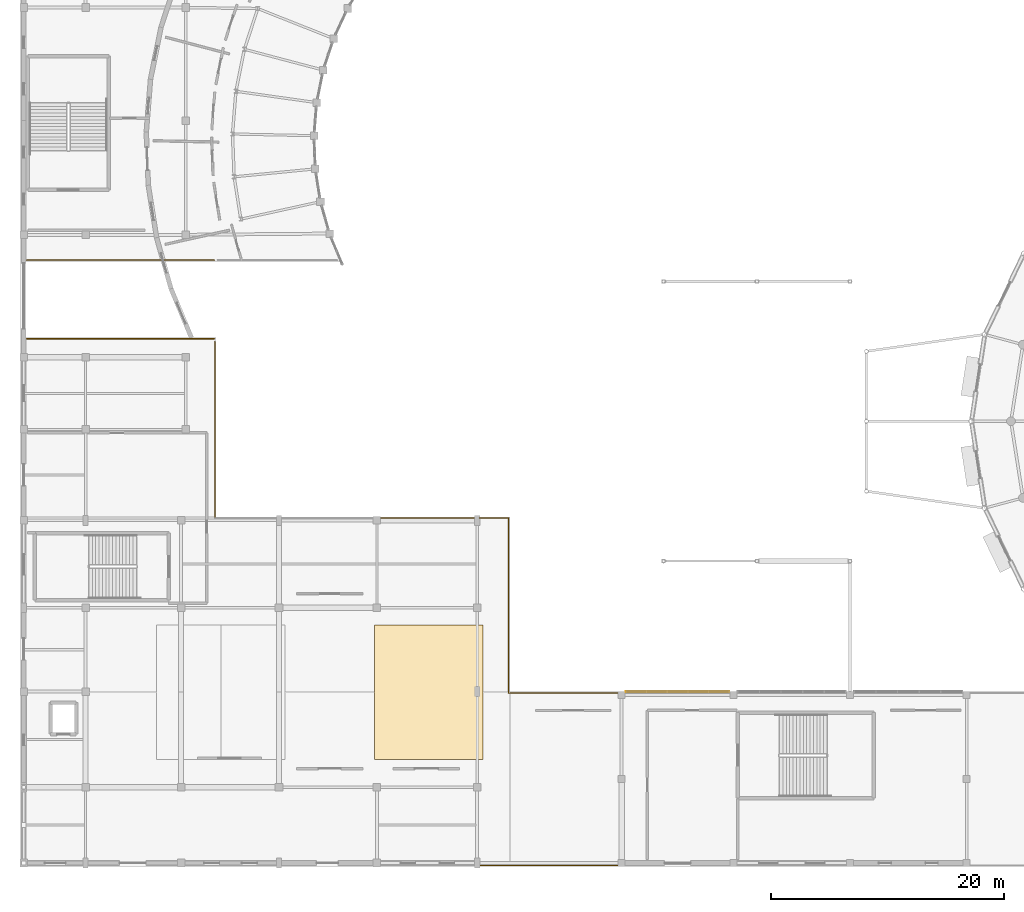
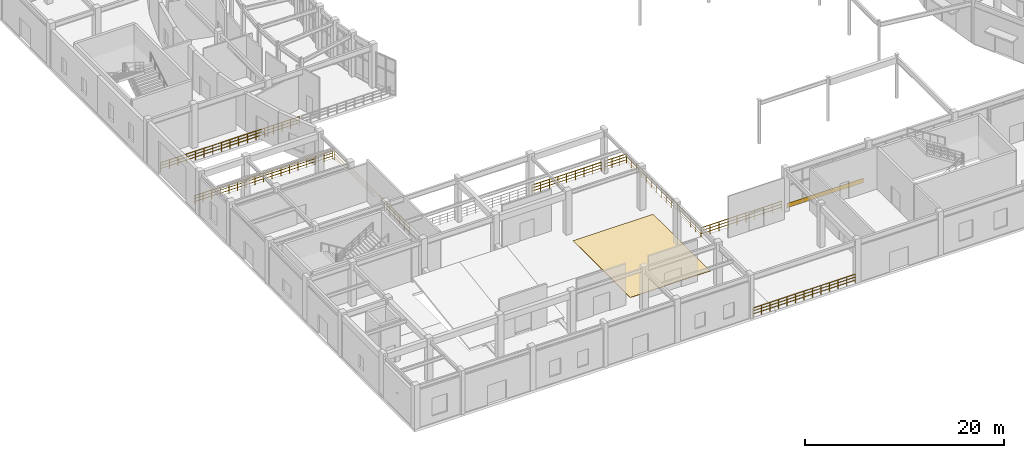
# One storey, part 83 of 93: 8 railings, 2 coverings.
"""IFC4 building model written with IfcOpenShell, lengths in metres."""

from ifc_helpers import new_model, si_unit, direction, frame, origin, origin_2d, place, context, subcontext, project, spatial, polyline, rectangle, circle, outline, extrude, material, layer, layer_set, type_object, element, save


model = new_model("IFC4")

# Units and contexts
model_context = context("Model", 3, precision=1e-05, world=origin(), true_north=direction((0.0, 1.0)))
body_context = subcontext(model_context, "Body", "Model", "MODEL_VIEW")
ifc_project = project(units=[si_unit("LENGTHUNIT", "METRE"), si_unit("AREAUNIT", "SQUARE_METRE"), si_unit("VOLUMEUNIT", "CUBIC_METRE"), si_unit("PLANEANGLEUNIT", "RADIAN"), si_unit("MASSUNIT", "GRAM", prefix="KILO")], contexts=[model_context])

# Site, building, storey
site_placement = place(None, origin())
site = spatial("IfcSite", under=ifc_project, at=site_placement, CompositionType="ELEMENT")
building_placement = place(site_placement, origin())
building = spatial("IfcBuilding", under=site, at=building_placement, Name="Cinderbank Siding Concert Hall", CompositionType="ELEMENT")
storey_placement = place(building_placement, origin())
storey = spatial("IfcBuildingStorey", under=building, at=storey_placement, Name="L01", CompositionType="ELEMENT", Elevation=0.0)

# Coverings
ifc_material_1 = material(Name="Spotted gum glulam timber GL18 (42 MPa)", Category="wood")
ifc_layer_1 = layer(ifc_material_1, 0.06494140625)
ifc_layer_set_1 = layer_set([ifc_layer_1], Name="Spotted gum glulam timber GL18 (42 MPa)")
covering_type_1 = type_object("IfcCoveringType", Name="CL-01 Spotted Gum Spandrel Band 520mm", PredefinedType="CLADDING", material=ifc_layer_set_1)
covering_1_placement = place(storey_placement, frame((63.199951171875, 20.800048828125, 0.0), z_axis=(0.0, 0.0, 1.0), x_axis=(1.0, 0.0, 0.0)))
element("IfcCovering", 1, at=covering_1_placement, inside=storey, type_object=covering_type_1, Name="CW-L01-138 Spotted Gum Spandrel Band", PredefinedType="CLADDING", context=body_context, shape_type="SweptSolid", body=[
    extrude(rectangle(XDim=8.8701171875, YDim=0.06494140625, at=origin_2d()), origin(), (0.0, 0.0, 1.0), 0.52001953125),
])
ifc_layer_2 = layer(ifc_material_1, 0.0400390625)
ifc_layer_set_2 = layer_set([ifc_layer_2], Name="Spotted gum glulam timber GL18 (42 MPa)")
covering_type_2 = type_object("IfcCoveringType", Name="FLR-01 Sprung Spotted Gum Stage Flooring", PredefinedType="FLOORING", material=ifc_layer_set_2)
covering_2_placement = place(storey_placement, origin())
element("IfcCovering", 2, at=covering_2_placement, inside=storey, type_object=covering_type_2, Name="Chamber Hall Sprung Timber Stage", PredefinedType="FLOORING", context=body_context, shape_type="SweptSolid", body=[
    extrude(outline(polyline([(37.199951171875, 15.0), (46.5, 15.0), (46.5, 26.5), (37.199951171875, 26.5), (37.199951171875, 15.0)])), origin(), (0.0, 0.0, 1.0), 0.0400390625),
])

# Railings
ifc_material_2 = material(Name="Structural steel AS/NZS 3679.1 Grade 350 (340 MPa)", Category="steel")
railing_type = type_object("IfcRailingType", Name="GD-01 Terrace & Perimeter Guardrail 1120mm", PredefinedType="GUARDRAIL", material=ifc_material_2)
railing_1_placement = place(storey_placement, frame((7.35009765625, 57.820068359375, 0.0)))
element("IfcRailing", 3, at=railing_1_placement, inside=storey, type_object=railing_type, Name="L01 Ramp Void Guardrail N", PredefinedType="GUARDRAIL", context=body_context, shape_type="SweptSolid", body=[
    extrude(circle(Radius=0.02392578125, at=origin_2d()), frame((0.0, 0.0, 1.09619140625), z_axis=(1.0, 0.0, 0.0), x_axis=(0.0, 1.0, 0.0)), (0.0, 0.0, 1.0), 16.099853515625),
    extrude(circle(Radius=0.01611328125, at=origin_2d()), frame((0.0, 0.0, 0.36962890625), z_axis=(1.0, 0.0, 0.0), x_axis=(0.0, 1.0, 0.0)), (0.0, 0.0, 1.0), 16.099853515625),
    extrude(circle(Radius=0.01611328125, at=origin_2d()), frame((0.0, 0.0, 0.7392578125), z_axis=(1.0, 0.0, 0.0), x_axis=(0.0, 1.0, 0.0)), (0.0, 0.0, 1.0), 16.099853515625),
    extrude(circle(Radius=0.02099609375, at=origin_2d()), origin(), (0.0, 0.0, 1.0), 1.072021484375),
    extrude(circle(Radius=0.02099609375, at=origin_2d()), frame((1.00634765625, 0.0, 0.0)), (0.0, 0.0, 1.0), 1.072021484375),
    extrude(circle(Radius=0.02099609375, at=origin_2d()), frame((2.012451171875, 0.0, 0.0)), (0.0, 0.0, 1.0), 1.072021484375),
    extrude(circle(Radius=0.02099609375, at=origin_2d()), frame((3.018798828125, 0.0, 0.0)), (0.0, 0.0, 1.0), 1.072021484375),
    extrude(circle(Radius=0.02099609375, at=origin_2d()), frame((4.02490234375, 0.0, 0.0)), (0.0, 0.0, 1.0), 1.072021484375),
    extrude(circle(Radius=0.02099609375, at=origin_2d()), frame((5.03125, 0.0, 0.0)), (0.0, 0.0, 1.0), 1.072021484375),
    extrude(circle(Radius=0.02099609375, at=origin_2d()), frame((6.037353515625, 0.0, 0.0)), (0.0, 0.0, 1.0), 1.072021484375),
    extrude(circle(Radius=0.02099609375, at=origin_2d()), frame((7.043701171875, 0.0, 0.0)), (0.0, 0.0, 1.0), 1.072021484375),
    extrude(circle(Radius=0.02099609375, at=origin_2d()), frame((8.0498046875, 0.0, 0.0)), (0.0, 0.0, 1.0), 1.072021484375),
    extrude(circle(Radius=0.02099609375, at=origin_2d()), frame((9.05615234375, 0.0, 0.0)), (0.0, 0.0, 1.0), 1.072021484375),
    extrude(circle(Radius=0.02099609375, at=origin_2d()), frame((10.0625, 0.0, 0.0)), (0.0, 0.0, 1.0), 1.072021484375),
    extrude(circle(Radius=0.02099609375, at=origin_2d()), frame((11.068603515625, 0.0, 0.0)), (0.0, 0.0, 1.0), 1.072021484375),
    extrude(circle(Radius=0.02099609375, at=origin_2d()), frame((12.074951171875, 0.0, 0.0)), (0.0, 0.0, 1.0), 1.072021484375),
    extrude(circle(Radius=0.02099609375, at=origin_2d()), frame((13.0810546875, 0.0, 0.0)), (0.0, 0.0, 1.0), 1.072021484375),
    extrude(circle(Radius=0.02099609375, at=origin_2d()), frame((14.08740234375, 0.0, 0.0)), (0.0, 0.0, 1.0), 1.072021484375),
    extrude(circle(Radius=0.02099609375, at=origin_2d()), frame((15.093505859375, 0.0, 0.0)), (0.0, 0.0, 1.0), 1.072021484375),
    extrude(circle(Radius=0.02099609375, at=origin_2d()), frame((16.099853515625, 0.0, 0.0)), (0.0, 0.0, 1.0), 1.072021484375),
])
railing_2_placement = place(storey_placement, frame((7.35009765625, 51.080078125, 0.0)))
element("IfcRailing", 4, at=railing_2_placement, inside=storey, type_object=railing_type, Name="L01 Ramp Void Guardrail S", PredefinedType="GUARDRAIL", context=body_context, shape_type="SweptSolid", body=[
    extrude(circle(Radius=0.02392578125, at=origin_2d()), frame((0.0, 0.0, 1.09619140625), z_axis=(1.0, 0.0, 0.0), x_axis=(0.0, 1.0, 0.0)), (0.0, 0.0, 1.0), 16.099853515625),
    extrude(circle(Radius=0.01611328125, at=origin_2d()), frame((0.0, 0.0, 0.36962890625), z_axis=(1.0, 0.0, 0.0), x_axis=(0.0, 1.0, 0.0)), (0.0, 0.0, 1.0), 16.099853515625),
    extrude(circle(Radius=0.01611328125, at=origin_2d()), frame((0.0, 0.0, 0.7392578125), z_axis=(1.0, 0.0, 0.0), x_axis=(0.0, 1.0, 0.0)), (0.0, 0.0, 1.0), 16.099853515625),
    extrude(circle(Radius=0.02099609375, at=origin_2d()), origin(), (0.0, 0.0, 1.0), 1.072021484375),
    extrude(circle(Radius=0.02099609375, at=origin_2d()), frame((1.00634765625, 0.0, 0.0)), (0.0, 0.0, 1.0), 1.072021484375),
    extrude(circle(Radius=0.02099609375, at=origin_2d()), frame((2.012451171875, 0.0, 0.0)), (0.0, 0.0, 1.0), 1.072021484375),
    extrude(circle(Radius=0.02099609375, at=origin_2d()), frame((3.018798828125, 0.0, 0.0)), (0.0, 0.0, 1.0), 1.072021484375),
    extrude(circle(Radius=0.02099609375, at=origin_2d()), frame((4.02490234375, 0.0, 0.0)), (0.0, 0.0, 1.0), 1.072021484375),
    extrude(circle(Radius=0.02099609375, at=origin_2d()), frame((5.03125, 0.0, 0.0)), (0.0, 0.0, 1.0), 1.072021484375),
    extrude(circle(Radius=0.02099609375, at=origin_2d()), frame((6.037353515625, 0.0, 0.0)), (0.0, 0.0, 1.0), 1.072021484375),
    extrude(circle(Radius=0.02099609375, at=origin_2d()), frame((7.043701171875, 0.0, 0.0)), (0.0, 0.0, 1.0), 1.072021484375),
    extrude(circle(Radius=0.02099609375, at=origin_2d()), frame((8.0498046875, 0.0, 0.0)), (0.0, 0.0, 1.0), 1.072021484375),
    extrude(circle(Radius=0.02099609375, at=origin_2d()), frame((9.05615234375, 0.0, 0.0)), (0.0, 0.0, 1.0), 1.072021484375),
    extrude(circle(Radius=0.02099609375, at=origin_2d()), frame((10.0625, 0.0, 0.0)), (0.0, 0.0, 1.0), 1.072021484375),
    extrude(circle(Radius=0.02099609375, at=origin_2d()), frame((11.068603515625, 0.0, 0.0)), (0.0, 0.0, 1.0), 1.072021484375),
    extrude(circle(Radius=0.02099609375, at=origin_2d()), frame((12.074951171875, 0.0, 0.0)), (0.0, 0.0, 1.0), 1.072021484375),
    extrude(circle(Radius=0.02099609375, at=origin_2d()), frame((13.0810546875, 0.0, 0.0)), (0.0, 0.0, 1.0), 1.072021484375),
    extrude(circle(Radius=0.02099609375, at=origin_2d()), frame((14.08740234375, 0.0, 0.0)), (0.0, 0.0, 1.0), 1.072021484375),
    extrude(circle(Radius=0.02099609375, at=origin_2d()), frame((15.093505859375, 0.0, 0.0)), (0.0, 0.0, 1.0), 1.072021484375),
    extrude(circle(Radius=0.02099609375, at=origin_2d()), frame((16.099853515625, 0.0, 0.0)), (0.0, 0.0, 1.0), 1.072021484375),
])
railing_3_placement = place(storey_placement, frame((23.5, 50.824951171875, 0.0)))
element("IfcRailing", 5, at=railing_3_placement, inside=storey, type_object=railing_type, Name="L01 Perimeter Guardrail #20", PredefinedType="GUARDRAIL", context=body_context, shape_type="SweptSolid", body=[
    extrude(circle(Radius=0.02392578125, at=origin_2d()), frame((0.0, 0.0, 1.09619140625), z_axis=(0.0, -1.0, 0.0), x_axis=(1.0, 0.0, 0.0)), (0.0, 0.0, 1.0), 15.125),
    extrude(circle(Radius=0.01611328125, at=origin_2d()), frame((0.0, 0.0, 0.36962890625), z_axis=(0.0, -1.0, 0.0), x_axis=(1.0, 0.0, 0.0)), (0.0, 0.0, 1.0), 15.125),
    extrude(circle(Radius=0.01611328125, at=origin_2d()), frame((0.0, 0.0, 0.7392578125), z_axis=(0.0, -1.0, 0.0), x_axis=(1.0, 0.0, 0.0)), (0.0, 0.0, 1.0), 15.125),
    extrude(circle(Radius=0.02099609375, at=origin_2d()), origin(), (0.0, 0.0, 1.0), 1.072021484375),
    extrude(circle(Radius=0.02099609375, at=origin_2d()), frame((0.0, -1.00830078125, 0.0)), (0.0, 0.0, 1.0), 1.072021484375),
    extrude(circle(Radius=0.02099609375, at=origin_2d()), frame((0.0, -2.0166015625, 0.0)), (0.0, 0.0, 1.0), 1.072021484375),
    extrude(circle(Radius=0.02099609375, at=origin_2d()), frame((0.0, -3.02490234375, 0.0)), (0.0, 0.0, 1.0), 1.072021484375),
    extrude(circle(Radius=0.02099609375, at=origin_2d()), frame((0.0, -4.033447265625, 0.0)), (0.0, 0.0, 1.0), 1.072021484375),
    extrude(circle(Radius=0.02099609375, at=origin_2d()), frame((0.0, -5.041748046875, 0.0)), (0.0, 0.0, 1.0), 1.072021484375),
    extrude(circle(Radius=0.02099609375, at=origin_2d()), frame((0.0, -6.050048828125, 0.0)), (0.0, 0.0, 1.0), 1.072021484375),
    extrude(circle(Radius=0.02099609375, at=origin_2d()), frame((0.0, -7.058349609375, 0.0)), (0.0, 0.0, 1.0), 1.072021484375),
    extrude(circle(Radius=0.02099609375, at=origin_2d()), frame((0.0, -8.066650390625, 0.0)), (0.0, 0.0, 1.0), 1.072021484375),
    extrude(circle(Radius=0.02099609375, at=origin_2d()), frame((0.0, -9.074951171875, 0.0)), (0.0, 0.0, 1.0), 1.072021484375),
    extrude(circle(Radius=0.02099609375, at=origin_2d()), frame((0.0, -10.083251953125, 0.0)), (0.0, 0.0, 1.0), 1.072021484375),
    extrude(circle(Radius=0.02099609375, at=origin_2d()), frame((0.0, -11.091552734375, 0.0)), (0.0, 0.0, 1.0), 1.072021484375),
    extrude(circle(Radius=0.02099609375, at=origin_2d()), frame((0.0, -12.10009765625, 0.0)), (0.0, 0.0, 1.0), 1.072021484375),
    extrude(circle(Radius=0.02099609375, at=origin_2d()), frame((0.0, -13.1083984375, 0.0)), (0.0, 0.0, 1.0), 1.072021484375),
    extrude(circle(Radius=0.02099609375, at=origin_2d()), frame((0.0, -14.11669921875, 0.0)), (0.0, 0.0, 1.0), 1.072021484375),
    extrude(circle(Radius=0.02099609375, at=origin_2d()), frame((0.0, -15.125, 0.0)), (0.0, 0.0, 1.0), 1.072021484375),
])
railing_4_placement = place(storey_placement, frame((37.728515625, 35.699951171875, 0.0)))
element("IfcRailing", 6, at=railing_4_placement, inside=storey, type_object=railing_type, Name="L01 Perimeter Guardrail #23", PredefinedType="GUARDRAIL", context=body_context, shape_type="SweptSolid", body=[
    extrude(circle(Radius=0.02392578125, at=origin_2d()), frame((0.0, 0.0, 1.09619140625), z_axis=(1.0, 0.0, 0.0), x_axis=(0.0, 1.0, 0.0)), (0.0, 0.0, 1.0), 8.068603515625),
    extrude(circle(Radius=0.01611328125, at=origin_2d()), frame((0.0, 0.0, 0.36962890625), z_axis=(1.0, 0.0, 0.0), x_axis=(0.0, 1.0, 0.0)), (0.0, 0.0, 1.0), 8.068603515625),
    extrude(circle(Radius=0.01611328125, at=origin_2d()), frame((0.0, 0.0, 0.7392578125), z_axis=(1.0, 0.0, 0.0), x_axis=(0.0, 1.0, 0.0)), (0.0, 0.0, 1.0), 8.068603515625),
    extrude(circle(Radius=0.02099609375, at=origin_2d()), origin(), (0.0, 0.0, 1.0), 1.072021484375),
    extrude(circle(Radius=0.02099609375, at=origin_2d()), frame((1.008544921875, 0.0, 0.0)), (0.0, 0.0, 1.0), 1.072021484375),
    extrude(circle(Radius=0.02099609375, at=origin_2d()), frame((2.01708984375, 0.0, 0.0)), (0.0, 0.0, 1.0), 1.072021484375),
    extrude(circle(Radius=0.02099609375, at=origin_2d()), frame((3.025634765625, 0.0, 0.0)), (0.0, 0.0, 1.0), 1.072021484375),
    extrude(circle(Radius=0.02099609375, at=origin_2d()), frame((4.0341796875, 0.0, 0.0)), (0.0, 0.0, 1.0), 1.072021484375),
    extrude(circle(Radius=0.02099609375, at=origin_2d()), frame((5.04296875, 0.0, 0.0)), (0.0, 0.0, 1.0), 1.072021484375),
    extrude(circle(Radius=0.02099609375, at=origin_2d()), frame((6.051513671875, 0.0, 0.0)), (0.0, 0.0, 1.0), 1.072021484375),
    extrude(circle(Radius=0.02099609375, at=origin_2d()), frame((7.06005859375, 0.0, 0.0)), (0.0, 0.0, 1.0), 1.072021484375),
    extrude(circle(Radius=0.02099609375, at=origin_2d()), frame((8.068603515625, 0.0, 0.0)), (0.0, 0.0, 1.0), 1.072021484375),
])
railing_5_placement = place(storey_placement, frame((46.202880859375, 35.699951171875, 0.0)))
element("IfcRailing", 7, at=railing_5_placement, inside=storey, type_object=railing_type, Name="L01 Perimeter Guardrail #24", PredefinedType="GUARDRAIL", context=body_context, shape_type="SweptSolid", body=[
    extrude(circle(Radius=0.02392578125, at=origin_2d()), frame((0.0, 0.0, 1.09619140625), z_axis=(1.0, 0.0, 0.0), x_axis=(0.0, 1.0, 0.0)), (0.0, 0.0, 1.0), 2.4970703125),
    extrude(circle(Radius=0.01611328125, at=origin_2d()), frame((0.0, 0.0, 0.36962890625), z_axis=(1.0, 0.0, 0.0), x_axis=(0.0, 1.0, 0.0)), (0.0, 0.0, 1.0), 2.4970703125),
    extrude(circle(Radius=0.01611328125, at=origin_2d()), frame((0.0, 0.0, 0.7392578125), z_axis=(1.0, 0.0, 0.0), x_axis=(0.0, 1.0, 0.0)), (0.0, 0.0, 1.0), 2.4970703125),
    extrude(circle(Radius=0.02099609375, at=origin_2d()), origin(), (0.0, 0.0, 1.0), 1.072021484375),
    extrude(circle(Radius=0.02099609375, at=origin_2d()), frame((0.832275390625, 0.0, 0.0)), (0.0, 0.0, 1.0), 1.072021484375),
    extrude(circle(Radius=0.02099609375, at=origin_2d()), frame((1.664794921875, 0.0, 0.0)), (0.0, 0.0, 1.0), 1.072021484375),
    extrude(circle(Radius=0.02099609375, at=origin_2d()), frame((2.4970703125, 0.0, 0.0)), (0.0, 0.0, 1.0), 1.072021484375),
])
railing_6_placement = place(storey_placement, frame((48.699951171875, 35.699951171875, 0.0)))
element("IfcRailing", 8, at=railing_6_placement, inside=storey, type_object=railing_type, Name="L01 Perimeter Guardrail #25", PredefinedType="GUARDRAIL", context=body_context, shape_type="SweptSolid", body=[
    extrude(circle(Radius=0.02392578125, at=origin_2d()), frame((0.0, 0.0, 1.09619140625), z_axis=(0.0, -1.0, 0.0), x_axis=(1.0, 0.0, 0.0)), (0.0, 0.0, 1.0), 15.0),
    extrude(circle(Radius=0.01611328125, at=origin_2d()), frame((0.0, 0.0, 0.36962890625), z_axis=(0.0, -1.0, 0.0), x_axis=(1.0, 0.0, 0.0)), (0.0, 0.0, 1.0), 15.0),
    extrude(circle(Radius=0.01611328125, at=origin_2d()), frame((0.0, 0.0, 0.7392578125), z_axis=(0.0, -1.0, 0.0), x_axis=(1.0, 0.0, 0.0)), (0.0, 0.0, 1.0), 15.0),
    extrude(circle(Radius=0.02099609375, at=origin_2d()), origin(), (0.0, 0.0, 1.0), 1.072021484375),
    extrude(circle(Radius=0.02099609375, at=origin_2d()), frame((0.0, -1.0, 0.0)), (0.0, 0.0, 1.0), 1.072021484375),
    extrude(circle(Radius=0.02099609375, at=origin_2d()), frame((0.0, -2.0, 0.0)), (0.0, 0.0, 1.0), 1.072021484375),
    extrude(circle(Radius=0.02099609375, at=origin_2d()), frame((0.0, -3.0, 0.0)), (0.0, 0.0, 1.0), 1.072021484375),
    extrude(circle(Radius=0.02099609375, at=origin_2d()), frame((0.0, -4.0, 0.0)), (0.0, 0.0, 1.0), 1.072021484375),
    extrude(circle(Radius=0.02099609375, at=origin_2d()), frame((0.0, -5.0, 0.0)), (0.0, 0.0, 1.0), 1.072021484375),
    extrude(circle(Radius=0.02099609375, at=origin_2d()), frame((0.0, -6.0, 0.0)), (0.0, 0.0, 1.0), 1.072021484375),
    extrude(circle(Radius=0.02099609375, at=origin_2d()), frame((0.0, -7.0, 0.0)), (0.0, 0.0, 1.0), 1.072021484375),
    extrude(circle(Radius=0.02099609375, at=origin_2d()), frame((0.0, -8.0, 0.0)), (0.0, 0.0, 1.0), 1.072021484375),
    extrude(circle(Radius=0.02099609375, at=origin_2d()), frame((0.0, -9.0, 0.0)), (0.0, 0.0, 1.0), 1.072021484375),
    extrude(circle(Radius=0.02099609375, at=origin_2d()), frame((0.0, -10.0, 0.0)), (0.0, 0.0, 1.0), 1.072021484375),
    extrude(circle(Radius=0.02099609375, at=origin_2d()), frame((0.0, -11.0, 0.0)), (0.0, 0.0, 1.0), 1.072021484375),
    extrude(circle(Radius=0.02099609375, at=origin_2d()), frame((0.0, -12.0, 0.0)), (0.0, 0.0, 1.0), 1.072021484375),
    extrude(circle(Radius=0.02099609375, at=origin_2d()), frame((0.0, -13.0, 0.0)), (0.0, 0.0, 1.0), 1.072021484375),
    extrude(circle(Radius=0.02099609375, at=origin_2d()), frame((0.0, -14.0, 0.0)), (0.0, 0.0, 1.0), 1.072021484375),
    extrude(circle(Radius=0.02099609375, at=origin_2d()), frame((0.0, -15.0, 0.0)), (0.0, 0.0, 1.0), 1.072021484375),
])
railing_7_placement = place(storey_placement, frame((48.699951171875, 20.699951171875, 0.0)))
element("IfcRailing", 9, at=railing_7_placement, inside=storey, type_object=railing_type, Name="L01 Perimeter Guardrail #26", PredefinedType="GUARDRAIL", context=body_context, shape_type="SweptSolid", body=[
    extrude(circle(Radius=0.02392578125, at=origin_2d()), frame((0.0, 0.0, 1.09619140625), z_axis=(1.0, 0.0, 0.0), x_axis=(0.0, 1.0, 0.0)), (0.0, 0.0, 1.0), 9.400634765625),
    extrude(circle(Radius=0.01611328125, at=origin_2d()), frame((0.0, 0.0, 0.36962890625), z_axis=(1.0, 0.0, 0.0), x_axis=(0.0, 1.0, 0.0)), (0.0, 0.0, 1.0), 9.400634765625),
    extrude(circle(Radius=0.01611328125, at=origin_2d()), frame((0.0, 0.0, 0.7392578125), z_axis=(1.0, 0.0, 0.0), x_axis=(0.0, 1.0, 0.0)), (0.0, 0.0, 1.0), 9.400634765625),
    extrude(circle(Radius=0.02099609375, at=origin_2d()), origin(), (0.0, 0.0, 1.0), 1.072021484375),
    extrude(circle(Radius=0.02099609375, at=origin_2d()), frame((1.04443359375, 0.0, 0.0)), (0.0, 0.0, 1.0), 1.072021484375),
    extrude(circle(Radius=0.02099609375, at=origin_2d()), frame((2.089111328125, 0.0, 0.0)), (0.0, 0.0, 1.0), 1.072021484375),
    extrude(circle(Radius=0.02099609375, at=origin_2d()), frame((3.133544921875, 0.0, 0.0)), (0.0, 0.0, 1.0), 1.072021484375),
    extrude(circle(Radius=0.02099609375, at=origin_2d()), frame((4.177978515625, 0.0, 0.0)), (0.0, 0.0, 1.0), 1.072021484375),
    extrude(circle(Radius=0.02099609375, at=origin_2d()), frame((5.22265625, 0.0, 0.0)), (0.0, 0.0, 1.0), 1.072021484375),
    extrude(circle(Radius=0.02099609375, at=origin_2d()), frame((6.26708984375, 0.0, 0.0)), (0.0, 0.0, 1.0), 1.072021484375),
    extrude(circle(Radius=0.02099609375, at=origin_2d()), frame((7.3115234375, 0.0, 0.0)), (0.0, 0.0, 1.0), 1.072021484375),
    extrude(circle(Radius=0.02099609375, at=origin_2d()), frame((8.356201171875, 0.0, 0.0)), (0.0, 0.0, 1.0), 1.072021484375),
    extrude(circle(Radius=0.02099609375, at=origin_2d()), frame((9.400634765625, 0.0, 0.0)), (0.0, 0.0, 1.0), 1.072021484375),
])
railing_8_placement = place(storey_placement, frame((58.1005859375, 5.89990234375, 0.0)))
element("IfcRailing", 10, at=railing_8_placement, inside=storey, type_object=railing_type, Name="L01 Perimeter Guardrail #30", PredefinedType="GUARDRAIL", context=body_context, shape_type="SweptSolid", body=[
    extrude(circle(Radius=0.02392578125, at=origin_2d()), frame((0.0, 0.0, 1.09619140625), z_axis=(-1.0, 0.0, 0.0), x_axis=(0.0, -1.0, 0.0)), (0.0, 0.0, 1.0), 11.897705078125),
    extrude(circle(Radius=0.01611328125, at=origin_2d()), frame((0.0, 0.0, 0.36962890625), z_axis=(-1.0, 0.0, 0.0), x_axis=(0.0, -1.0, 0.0)), (0.0, 0.0, 1.0), 11.897705078125),
    extrude(circle(Radius=0.01611328125, at=origin_2d()), frame((0.0, 0.0, 0.7392578125), z_axis=(-1.0, 0.0, 0.0), x_axis=(0.0, -1.0, 0.0)), (0.0, 0.0, 1.0), 11.897705078125),
    extrude(circle(Radius=0.02099609375, at=origin_2d()), origin(), (0.0, 0.0, 1.0), 1.072021484375),
    extrude(circle(Radius=0.02099609375, at=origin_2d()), frame((-0.991455078125, 0.0, 0.0)), (0.0, 0.0, 1.0), 1.072021484375),
    extrude(circle(Radius=0.02099609375, at=origin_2d()), frame((-1.98291015625, 0.0, 0.0)), (0.0, 0.0, 1.0), 1.072021484375),
    extrude(circle(Radius=0.02099609375, at=origin_2d()), frame((-2.974365234375, 0.0, 0.0)), (0.0, 0.0, 1.0), 1.072021484375),
    extrude(circle(Radius=0.02099609375, at=origin_2d()), frame((-3.9658203125, 0.0, 0.0)), (0.0, 0.0, 1.0), 1.072021484375),
    extrude(circle(Radius=0.02099609375, at=origin_2d()), frame((-4.957275390625, 0.0, 0.0)), (0.0, 0.0, 1.0), 1.072021484375),
    extrude(circle(Radius=0.02099609375, at=origin_2d()), frame((-5.94873046875, 0.0, 0.0)), (0.0, 0.0, 1.0), 1.072021484375),
    extrude(circle(Radius=0.02099609375, at=origin_2d()), frame((-6.9404296875, 0.0, 0.0)), (0.0, 0.0, 1.0), 1.072021484375),
    extrude(circle(Radius=0.02099609375, at=origin_2d()), frame((-7.931884765625, 0.0, 0.0)), (0.0, 0.0, 1.0), 1.072021484375),
    extrude(circle(Radius=0.02099609375, at=origin_2d()), frame((-8.92333984375, 0.0, 0.0)), (0.0, 0.0, 1.0), 1.072021484375),
    extrude(circle(Radius=0.02099609375, at=origin_2d()), frame((-9.914794921875, 0.0, 0.0)), (0.0, 0.0, 1.0), 1.072021484375),
    extrude(circle(Radius=0.02099609375, at=origin_2d()), frame((-10.90625, 0.0, 0.0)), (0.0, 0.0, 1.0), 1.072021484375),
    extrude(circle(Radius=0.02099609375, at=origin_2d()), frame((-11.897705078125, 0.0, 0.0)), (0.0, 0.0, 1.0), 1.072021484375),
])

save(model, "model.ifc")
